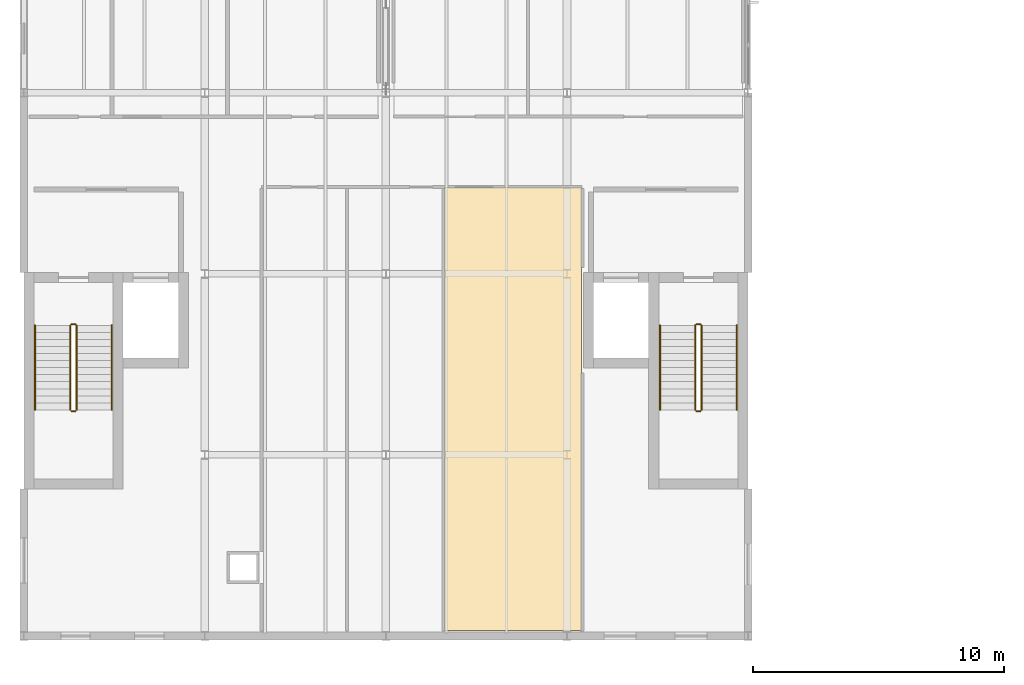
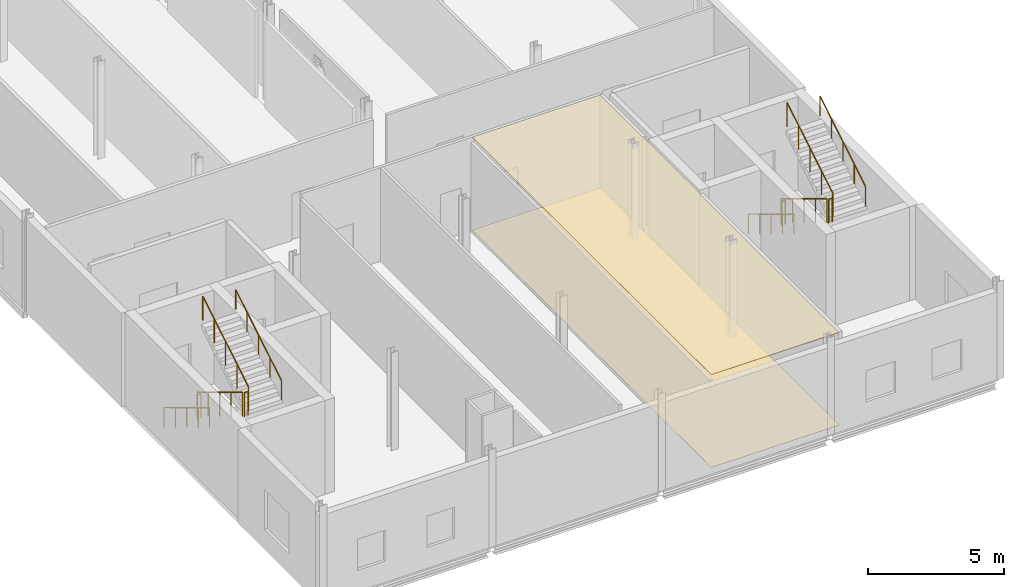
# One storey, part 19 of 21: 12 railings, 2 coverings.
"""IFC4 building model written with IfcOpenShell, lengths in metres."""

from ifc_helpers import new_model, si_unit, direction, frame, origin, origin_2d, place, context, subcontext, project, spatial, polyline, circle, outline, extrude, material, layer, layer_set, type_object, element, save


model = new_model("IFC4")

# Units and contexts
model_context = context("Model", 3, precision=1e-05, world=origin(), true_north=direction((0.0, 1.0)))
body_context = subcontext(model_context, "Body", "Model", "MODEL_VIEW")
ifc_project = project(units=[si_unit("LENGTHUNIT", "METRE"), si_unit("AREAUNIT", "SQUARE_METRE"), si_unit("VOLUMEUNIT", "CUBIC_METRE"), si_unit("PLANEANGLEUNIT", "RADIAN"), si_unit("MASSUNIT", "GRAM", prefix="KILO")], contexts=[model_context])

# Site, building, storey
site_placement = place(None, origin())
site = spatial("IfcSite", under=ifc_project, at=site_placement, CompositionType="ELEMENT")
building_placement = place(site_placement, origin())
building = spatial("IfcBuilding", under=site, at=building_placement, Name="Zarrinpeak Specialist Clinic", CompositionType="ELEMENT")
storey_placement = place(building_placement, frame((0.0, 0.0, 22.800048828125)))
storey = spatial("IfcBuildingStorey", under=building, at=storey_placement, Name="L05", CompositionType="ELEMENT", Elevation=22.800048828125)

# Coverings
ifc_material_1 = material(Name="Hygienic Acoustic Mineral Fibre Tile")
ifc_layer_1 = layer(ifc_material_1, 0.02490234375)
ifc_layer_set_1 = layer_set([ifc_layer_1], Name="Hygienic Acoustic Mineral Fibre Tile")
covering_type_1 = type_object("IfcCoveringType", Name="CV-CEIL-AC", PredefinedType="CEILING", material=ifc_layer_set_1)
covering_1_placement = place(storey_placement, frame((0.0, 0.0, 4.159912109375)))
element("IfcCovering", 1, at=covering_1_placement, inside=storey, type_object=covering_type_1, Name="L05 Dermatology Phototherapy Room Hygienic Acoustic Ceiling", PredefinedType="CEILING", context=body_context, shape_type="SweptSolid", body=[
    extrude(outline(polyline([(16.719970703125, 0.219970703125), (22.179931640625, 0.219970703125), (22.179931640625, 17.830078125), (16.719970703125, 17.830078125), (16.719970703125, 0.219970703125)])), origin(), (0.0, 0.0, 1.0), 0.025146484375),
])
ifc_material_2 = material(Name="Homogeneous Antimicrobial Clinical Vinyl")
ifc_layer_2 = layer(ifc_material_2, 0.008056640625)
ifc_layer_set_2 = layer_set([ifc_layer_2], Name="Homogeneous Antimicrobial Clinical Vinyl")
covering_type_2 = type_object("IfcCoveringType", Name="CV-FLR-VN", PredefinedType="FLOORING", material=ifc_layer_set_2)
covering_2_placement = place(storey_placement, frame((0.0, 0.0, 0.0009765625)))
element("IfcCovering", 2, at=covering_2_placement, inside=storey, type_object=covering_type_2, Name="L05 Dermatology Phototherapy Room Antimicrobial Vinyl Flooring", PredefinedType="FLOORING", context=body_context, shape_type="SweptSolid", body=[
    extrude(outline(polyline([(16.719970703125, 0.219970703125), (22.179931640625, 0.219970703125), (22.179931640625, 17.830078125), (16.719970703125, 17.830078125), (16.719970703125, 0.219970703125)])), origin(), (0.0, 0.0, 1.0), 0.008056640625),
])

# Railings
ifc_material_3 = material(Name="Laminated Safety Glass and Stainless Steel 316", Category="steel")
ifc_layer_3 = layer(ifc_material_3, 0.06005859375)
ifc_layer_set_3 = layer_set([ifc_layer_3], Name="Laminated Safety Glass and Stainless Steel 316")
railing_type_1 = type_object("IfcRailingType", Name="RL-GRD115", PredefinedType="GUARDRAIL", material=ifc_layer_set_3)
railing_1_placement = place(storey_placement, frame((1.85009765625, 12.35009765625, 0.169189453125)))
element("IfcRailing", 3, at=railing_1_placement, inside=storey, type_object=railing_type_1, Name="L05 ST-01 stair guard 1", PredefinedType="GUARDRAIL", context=body_context, shape_type="SweptSolid", body=[
    extrude(circle(Radius=0.02392578125, at=origin_2d()), frame((0.0, 0.0, 1.076171875), z_axis=(0.0, -0.855836976705, 0.517245656632), x_axis=(1.0, 0.0, 0.0)), (0.0, 0.0, 1.0), 3.926025390625),
    extrude(circle(Radius=0.02099609375, at=origin_2d()), origin(), (0.0, 0.0, 1.0), 1.052001953125),
    extrude(circle(Radius=0.02099609375, at=origin_2d()), frame((0.0, -0.840087890625, 0.5078125)), (0.0, 0.0, 1.0), 1.052001953125),
    extrude(circle(Radius=0.02099609375, at=origin_2d()), frame((0.0, -1.68017578125, 1.015380859375)), (0.0, 0.0, 1.0), 1.052001953125),
    extrude(circle(Radius=0.02099609375, at=origin_2d()), frame((0.0, -2.52001953125, 1.52294921875)), (0.0, 0.0, 1.0), 1.052001953125),
    extrude(circle(Radius=0.02099609375, at=origin_2d()), frame((0.0, -3.360107421875, 2.03076171875)), (0.0, 0.0, 1.0), 1.052001953125),
])
railing_2_placement = place(storey_placement, frame((1.89990234375, 8.93994140625, 2.199951171875)))
element("IfcRailing", 4, at=railing_2_placement, inside=storey, type_object=railing_type_1, Name="L05 ST-01 stair guard 2", PredefinedType="GUARDRAIL", context=body_context, shape_type="SweptSolid", body=[
    extrude(circle(Radius=0.02392578125, at=origin_2d()), frame((0.0, 0.0, 1.076171875), z_axis=(1.0, 0.0, 0.0), x_axis=(0.0, 1.0, 0.0)), (0.0, 0.0, 1.0), 0.150146484375),
    extrude(circle(Radius=0.02099609375, at=origin_2d()), origin(), (0.0, 0.0, 1.0), 1.052001953125),
    extrude(circle(Radius=0.02099609375, at=origin_2d()), frame((0.150146484375, 0.0, 0.0)), (0.0, 0.0, 1.0), 1.052001953125),
])
railing_3_placement = place(storey_placement, frame((2.10009765625, 8.989990234375, 2.369140625)))
element("IfcRailing", 5, at=railing_3_placement, inside=storey, type_object=railing_type_1, Name="L05 ST-01 stair guard 3", PredefinedType="GUARDRAIL", context=body_context, shape_type="SweptSolid", body=[
    extrude(circle(Radius=0.02392578125, at=origin_2d()), frame((0.0, 0.0, 1.076171875), z_axis=(0.0, 0.855836976705, 0.517245656632), x_axis=(-1.0, 0.0, 0.0)), (0.0, 0.0, 1.0), 3.926025390625),
    extrude(circle(Radius=0.02099609375, at=origin_2d()), origin(), (0.0, 0.0, 1.0), 1.052001953125),
    extrude(circle(Radius=0.02099609375, at=origin_2d()), frame((0.0, 0.840087890625, 0.5078125)), (0.0, 0.0, 1.0), 1.052001953125),
    extrude(circle(Radius=0.02099609375, at=origin_2d()), frame((0.0, 1.68017578125, 1.015380859375)), (0.0, 0.0, 1.0), 1.052001953125),
    extrude(circle(Radius=0.02099609375, at=origin_2d()), frame((0.0, 2.52001953125, 1.52294921875)), (0.0, 0.0, 1.0), 1.052001953125),
    extrude(circle(Radius=0.02099609375, at=origin_2d()), frame((0.0, 3.360107421875, 2.03076171875)), (0.0, 0.0, 1.0), 1.052001953125),
])
railing_4_placement = place(storey_placement, frame((1.89990234375, 12.39990234375, 0.0)))
element("IfcRailing", 6, at=railing_4_placement, inside=storey, type_object=railing_type_1, Name="L05 ST-01 stair guard 4", PredefinedType="GUARDRAIL", context=body_context, shape_type="SweptSolid", body=[
    extrude(circle(Radius=0.02392578125, at=origin_2d()), frame((0.0, 0.0, 1.076171875), z_axis=(1.0, 0.0, 0.0), x_axis=(0.0, 1.0, 0.0)), (0.0, 0.0, 1.0), 0.150146484375),
    extrude(circle(Radius=0.02099609375, at=origin_2d()), origin(), (0.0, 0.0, 1.0), 1.052001953125),
    extrude(circle(Radius=0.02099609375, at=origin_2d()), frame((0.150146484375, 0.0, 0.0)), (0.0, 0.0, 1.0), 1.052001953125),
])
railing_5_placement = place(storey_placement, frame((26.699951171875, 12.35009765625, 0.169189453125)))
element("IfcRailing", 7, at=railing_5_placement, inside=storey, type_object=railing_type_1, Name="L05 ST-02 stair guard 1", PredefinedType="GUARDRAIL", context=body_context, shape_type="SweptSolid", body=[
    extrude(circle(Radius=0.02392578125, at=origin_2d()), frame((0.0, 0.0, 1.076171875), z_axis=(0.0, -0.855836976705, 0.517245656632), x_axis=(1.0, 0.0, 0.0)), (0.0, 0.0, 1.0), 3.926025390625),
    extrude(circle(Radius=0.02099609375, at=origin_2d()), origin(), (0.0, 0.0, 1.0), 1.052001953125),
    extrude(circle(Radius=0.02099609375, at=origin_2d()), frame((0.0, -0.840087890625, 0.5078125)), (0.0, 0.0, 1.0), 1.052001953125),
    extrude(circle(Radius=0.02099609375, at=origin_2d()), frame((0.0, -1.68017578125, 1.015380859375)), (0.0, 0.0, 1.0), 1.052001953125),
    extrude(circle(Radius=0.02099609375, at=origin_2d()), frame((0.0, -2.52001953125, 1.52294921875)), (0.0, 0.0, 1.0), 1.052001953125),
    extrude(circle(Radius=0.02099609375, at=origin_2d()), frame((0.0, -3.360107421875, 2.03076171875)), (0.0, 0.0, 1.0), 1.052001953125),
])
railing_6_placement = place(storey_placement, frame((26.75, 8.93994140625, 2.199951171875)))
element("IfcRailing", 8, at=railing_6_placement, inside=storey, type_object=railing_type_1, Name="L05 ST-02 stair guard 2", PredefinedType="GUARDRAIL", context=body_context, shape_type="SweptSolid", body=[
    extrude(circle(Radius=0.02392578125, at=origin_2d()), frame((0.0, 0.0, 1.076171875), z_axis=(1.0, 0.0, 0.0), x_axis=(0.0, 1.0, 0.0)), (0.0, 0.0, 1.0), 0.14990234375),
    extrude(circle(Radius=0.02099609375, at=origin_2d()), origin(), (0.0, 0.0, 1.0), 1.052001953125),
    extrude(circle(Radius=0.02099609375, at=origin_2d()), frame((0.14990234375, 0.0, 0.0)), (0.0, 0.0, 1.0), 1.052001953125),
])
railing_7_placement = place(storey_placement, frame((26.949951171875, 8.989990234375, 2.369140625)))
element("IfcRailing", 9, at=railing_7_placement, inside=storey, type_object=railing_type_1, Name="L05 ST-02 stair guard 3", PredefinedType="GUARDRAIL", context=body_context, shape_type="SweptSolid", body=[
    extrude(circle(Radius=0.02392578125, at=origin_2d()), frame((0.0, 0.0, 1.076171875), z_axis=(0.0, 0.855836976705, 0.517245656632), x_axis=(-1.0, 0.0, 0.0)), (0.0, 0.0, 1.0), 3.926025390625),
    extrude(circle(Radius=0.02099609375, at=origin_2d()), origin(), (0.0, 0.0, 1.0), 1.052001953125),
    extrude(circle(Radius=0.02099609375, at=origin_2d()), frame((0.0, 0.840087890625, 0.5078125)), (0.0, 0.0, 1.0), 1.052001953125),
    extrude(circle(Radius=0.02099609375, at=origin_2d()), frame((0.0, 1.68017578125, 1.015380859375)), (0.0, 0.0, 1.0), 1.052001953125),
    extrude(circle(Radius=0.02099609375, at=origin_2d()), frame((0.0, 2.52001953125, 1.52294921875)), (0.0, 0.0, 1.0), 1.052001953125),
    extrude(circle(Radius=0.02099609375, at=origin_2d()), frame((0.0, 3.360107421875, 2.03076171875)), (0.0, 0.0, 1.0), 1.052001953125),
])
railing_8_placement = place(storey_placement, frame((26.75, 12.39990234375, 0.0)))
element("IfcRailing", 10, at=railing_8_placement, inside=storey, type_object=railing_type_1, Name="L05 ST-02 stair guard 4", PredefinedType="GUARDRAIL", context=body_context, shape_type="SweptSolid", body=[
    extrude(circle(Radius=0.02392578125, at=origin_2d()), frame((0.0, 0.0, 1.076171875), z_axis=(1.0, 0.0, 0.0), x_axis=(0.0, 1.0, 0.0)), (0.0, 0.0, 1.0), 0.14990234375),
    extrude(circle(Radius=0.02099609375, at=origin_2d()), origin(), (0.0, 0.0, 1.0), 1.052001953125),
    extrude(circle(Radius=0.02099609375, at=origin_2d()), frame((0.14990234375, 0.0, 0.0)), (0.0, 0.0, 1.0), 1.052001953125),
])
ifc_material_4 = material(Name="Brushed Stainless Steel 316 Handrail", Category="steel")
ifc_layer_4 = layer(ifc_material_4, 0.050048828125)
ifc_layer_set_4 = layer_set([ifc_layer_4], Name="Brushed Stainless Steel 316 Handrail")
railing_type_2 = type_object("IfcRailingType", Name="RL-HND92", PredefinedType="HANDRAIL", material=ifc_layer_set_4)
railing_9_placement = place(storey_placement, frame((0.449951171875, 12.35009765625, 0.169189453125)))
element("IfcRailing", 11, at=railing_9_placement, inside=storey, type_object=railing_type_2, Name="L05 ST-01 stair handrail 1", PredefinedType="HANDRAIL", context=body_context, shape_type="SweptSolid", body=[
    extrude(circle(Radius=0.02392578125, at=origin_2d()), frame((0.0, 0.0, 0.8759765625), z_axis=(0.0, -0.855836976705, 0.517245656632), x_axis=(1.0, 0.0, 0.0)), (0.0, 0.0, 1.0), 3.926025390625),
    extrude(circle(Radius=0.02099609375, at=origin_2d()), origin(), (0.0, 0.0, 1.0), 0.851806640625),
    extrude(circle(Radius=0.02099609375, at=origin_2d()), frame((0.0, -0.840087890625, 0.5078125)), (0.0, 0.0, 1.0), 0.851806640625),
    extrude(circle(Radius=0.02099609375, at=origin_2d()), frame((0.0, -1.68017578125, 1.015380859375)), (0.0, 0.0, 1.0), 0.851806640625),
    extrude(circle(Radius=0.02099609375, at=origin_2d()), frame((0.0, -2.52001953125, 1.52294921875)), (0.0, 0.0, 1.0), 0.851806640625),
    extrude(circle(Radius=0.02099609375, at=origin_2d()), frame((0.0, -3.360107421875, 2.03076171875)), (0.0, 0.0, 1.0), 0.851806640625),
])
railing_10_placement = place(storey_placement, frame((3.5, 8.989990234375, 2.369140625)))
element("IfcRailing", 12, at=railing_10_placement, inside=storey, type_object=railing_type_2, Name="L05 ST-01 stair handrail 2", PredefinedType="HANDRAIL", context=body_context, shape_type="SweptSolid", body=[
    extrude(circle(Radius=0.02392578125, at=origin_2d()), frame((0.0, 0.0, 0.8759765625), z_axis=(0.0, 0.855836976705, 0.517245656632), x_axis=(-1.0, 0.0, 0.0)), (0.0, 0.0, 1.0), 3.926025390625),
    extrude(circle(Radius=0.02099609375, at=origin_2d()), origin(), (0.0, 0.0, 1.0), 0.851806640625),
    extrude(circle(Radius=0.02099609375, at=origin_2d()), frame((0.0, 0.840087890625, 0.5078125)), (0.0, 0.0, 1.0), 0.851806640625),
    extrude(circle(Radius=0.02099609375, at=origin_2d()), frame((0.0, 1.68017578125, 1.015380859375)), (0.0, 0.0, 1.0), 0.851806640625),
    extrude(circle(Radius=0.02099609375, at=origin_2d()), frame((0.0, 2.52001953125, 1.52294921875)), (0.0, 0.0, 1.0), 0.851806640625),
    extrude(circle(Radius=0.02099609375, at=origin_2d()), frame((0.0, 3.360107421875, 2.03076171875)), (0.0, 0.0, 1.0), 0.851806640625),
])
railing_11_placement = place(storey_placement, frame((25.300048828125, 12.35009765625, 0.169189453125)))
element("IfcRailing", 13, at=railing_11_placement, inside=storey, type_object=railing_type_2, Name="L05 ST-02 stair handrail 1", PredefinedType="HANDRAIL", context=body_context, shape_type="SweptSolid", body=[
    extrude(circle(Radius=0.02392578125, at=origin_2d()), frame((0.0, 0.0, 0.8759765625), z_axis=(0.0, -0.855836976705, 0.517245656632), x_axis=(1.0, 0.0, 0.0)), (0.0, 0.0, 1.0), 3.926025390625),
    extrude(circle(Radius=0.02099609375, at=origin_2d()), origin(), (0.0, 0.0, 1.0), 0.851806640625),
    extrude(circle(Radius=0.02099609375, at=origin_2d()), frame((0.0, -0.840087890625, 0.5078125)), (0.0, 0.0, 1.0), 0.851806640625),
    extrude(circle(Radius=0.02099609375, at=origin_2d()), frame((0.0, -1.68017578125, 1.015380859375)), (0.0, 0.0, 1.0), 0.851806640625),
    extrude(circle(Radius=0.02099609375, at=origin_2d()), frame((0.0, -2.52001953125, 1.52294921875)), (0.0, 0.0, 1.0), 0.851806640625),
    extrude(circle(Radius=0.02099609375, at=origin_2d()), frame((0.0, -3.360107421875, 2.03076171875)), (0.0, 0.0, 1.0), 0.851806640625),
])
railing_12_placement = place(storey_placement, frame((28.35009765625, 8.989990234375, 2.369140625)))
element("IfcRailing", 14, at=railing_12_placement, inside=storey, type_object=railing_type_2, Name="L05 ST-02 stair handrail 2", PredefinedType="HANDRAIL", context=body_context, shape_type="SweptSolid", body=[
    extrude(circle(Radius=0.02392578125, at=origin_2d()), frame((0.0, 0.0, 0.8759765625), z_axis=(0.0, 0.855836976705, 0.517245656632), x_axis=(-1.0, 0.0, 0.0)), (0.0, 0.0, 1.0), 3.926025390625),
    extrude(circle(Radius=0.02099609375, at=origin_2d()), origin(), (0.0, 0.0, 1.0), 0.851806640625),
    extrude(circle(Radius=0.02099609375, at=origin_2d()), frame((0.0, 0.840087890625, 0.5078125)), (0.0, 0.0, 1.0), 0.851806640625),
    extrude(circle(Radius=0.02099609375, at=origin_2d()), frame((0.0, 1.68017578125, 1.015380859375)), (0.0, 0.0, 1.0), 0.851806640625),
    extrude(circle(Radius=0.02099609375, at=origin_2d()), frame((0.0, 2.52001953125, 1.52294921875)), (0.0, 0.0, 1.0), 0.851806640625),
    extrude(circle(Radius=0.02099609375, at=origin_2d()), frame((0.0, 3.360107421875, 2.03076171875)), (0.0, 0.0, 1.0), 0.851806640625),
])

save(model, "model.ifc")
